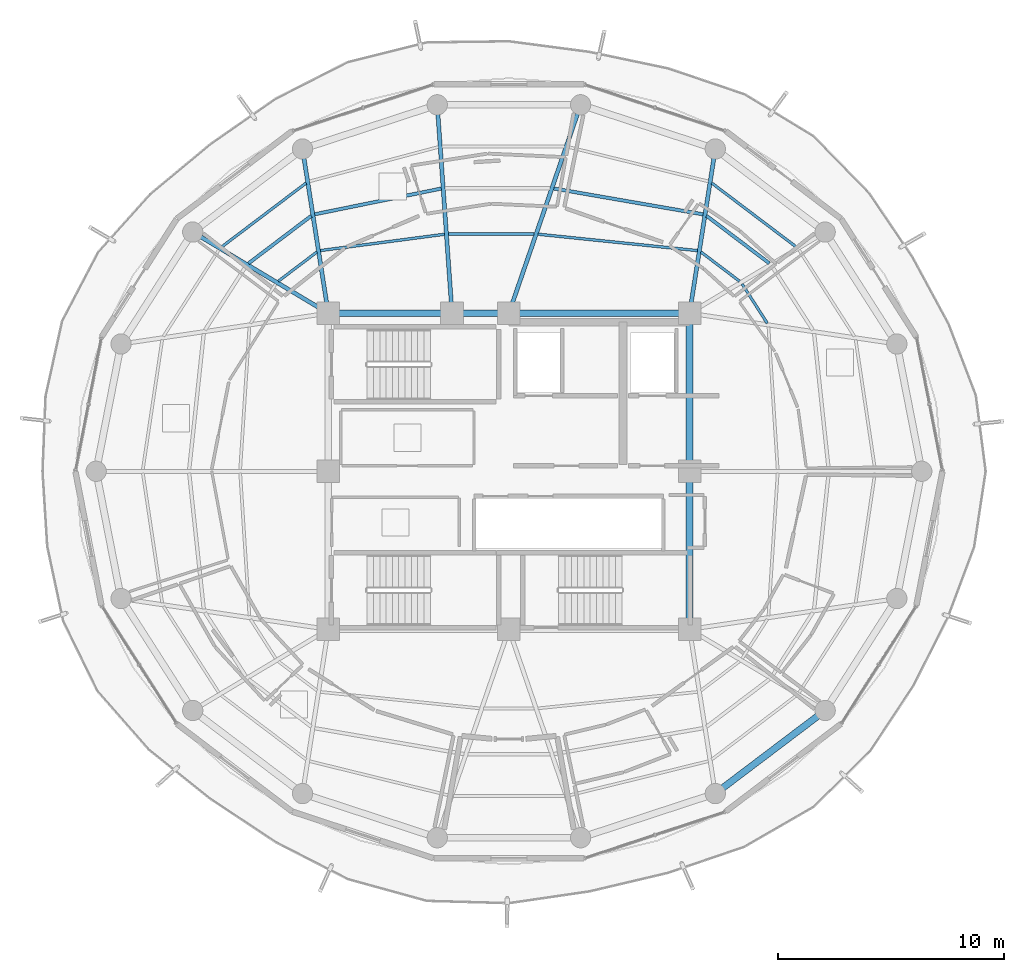
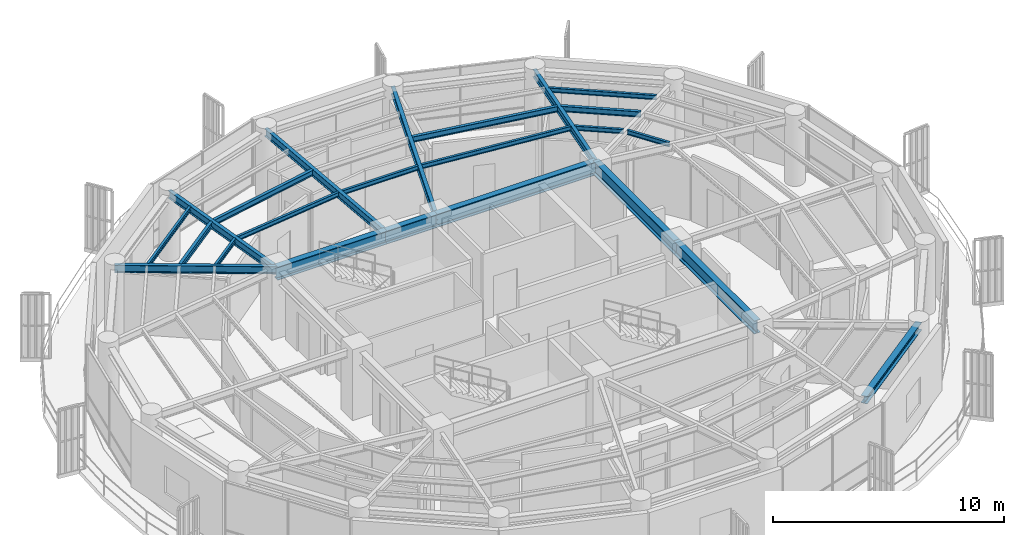
# One storey, part 8 of 22: 23 beams.
"""IFC4 building model written with IfcOpenShell, lengths in metres."""

import ifcopenshell
import ifcopenshell.guid

model = None  # the IFC model being written
_history = None  # IfcOwnerHistory: only IFC2X3 demands one
_inside = {}  # id of a spatial element -> (the spatial element, [elements in it])
_under = {}  # id of a project, library or spatial element -> (it, [spatial elements below it])
_declared = {}  # id of a project -> (the project, [libraries it declares])
_typed = {}  # id of a type object -> (the type object, [elements of that type])
_made_of = {}  # id of a material, layer set ... -> (it, [elements and type objects made of it])


def new_model(schema):
    """Start an empty IFC model of exactly this schema.

    Asked for "IFC4X3", IfcOpenShell would pick the latest addendum, in which some entities
    have other attributes; the version numbers below select the first issue.
    IFC2X3 requires an IfcOwnerHistory on every rooted entity: one is made here for all.
    """
    global model, _history
    if schema == "IFC4X3":
        model = ifcopenshell.file(schema_version=(4, 3, 0, 0))
    else:
        model = ifcopenshell.file(schema=schema)
    _inside.clear()
    _under.clear()
    _declared.clear()
    _typed.clear()
    _made_of.clear()
    _history = None
    if model.schema == "IFC2X3":
        org = make("IfcOrganization", Name="unknown")
        user = make(
            "IfcPersonAndOrganization",
            ThePerson=make("IfcPerson", FamilyName="unknown"),
            TheOrganization=org,
        )
        app = make(
            "IfcApplication",
            ApplicationDeveloper=org,
            Version="unknown",
            ApplicationFullName="unknown",
            ApplicationIdentifier="unknown",
        )
        _history = make(
            "IfcOwnerHistory",
            OwningUser=user,
            OwningApplication=app,
            ChangeAction="ADDED",
            CreationDate=0,
        )
    return model


def make(cls, **values):
    """One entity of the class cls with the attributes given. An attribute that is None is left unset."""
    return model.create_entity(
        cls, **{name: value for name, value in values.items() if value is not None}
    )


def rooted(cls, **values):
    """An entity with a GlobalId (a new one), such as an element, a storey or a relation."""
    return make(cls, GlobalId=ifcopenshell.guid.new(), OwnerHistory=_history, **values)


def si_unit(unit_type, name, prefix=None):
    """IfcSIUnit, for example si_unit("LENGTHUNIT", "METRE", prefix="MILLI")."""
    return make("IfcSIUnit", UnitType=unit_type, Prefix=prefix, Name=name)


def assignment(units):
    """IfcUnitAssignment: the units of a project."""
    return None if units is None else make("IfcUnitAssignment", Units=units)


def point(xyz):
    """IfcCartesianPoint."""
    return None if xyz is None else make("IfcCartesianPoint", Coordinates=xyz)


def direction(xyz):
    """IfcDirection."""
    return None if xyz is None else make("IfcDirection", DirectionRatios=xyz)


def frame(location, z_axis=None, x_axis=None):
    """IfcAxis2Placement3D, a coordinate frame: its origin and axes. An axis left out is left unset."""
    return make(
        "IfcAxis2Placement3D",
        Location=point(location),
        Axis=direction(z_axis),
        RefDirection=direction(x_axis),
    )


def frame_2d(location, x_axis=None):
    """IfcAxis2Placement2D, a coordinate frame in the plane: its origin and x axis."""
    return make(
        "IfcAxis2Placement2D", Location=point(location), RefDirection=direction(x_axis)
    )


def origin():
    """The frame at (0, 0, 0) with its axes left unset."""
    return frame((0.0, 0.0, 0.0))


def origin_2d():
    """The frame at (0, 0) in the plane with its x axis left unset."""
    return frame_2d((0.0, 0.0))


def place(relative_to, where):
    """IfcLocalPlacement: puts the frame where relative to a parent placement (None: the world)."""
    return make(
        "IfcLocalPlacement", PlacementRelTo=relative_to, RelativePlacement=where
    )


def context(
    kind, dimensions, precision=None, world=None, true_north=None, identifier=None
):
    """IfcGeometricRepresentationContext, for example the 3D "Model" context."""
    return make(
        "IfcGeometricRepresentationContext",
        ContextIdentifier=identifier,
        ContextType=kind,
        CoordinateSpaceDimension=dimensions,
        Precision=precision,
        WorldCoordinateSystem=world,
        TrueNorth=true_north,
    )


def subcontext(parent, identifier, kind, view, scale=None):
    """IfcGeometricRepresentationSubContext, for example "Body" below "Model"."""
    return make(
        "IfcGeometricRepresentationSubContext",
        ContextIdentifier=identifier,
        ContextType=kind,
        ParentContext=parent,
        TargetScale=scale,
        TargetView=view,
    )


def project(units=None, contexts=None):
    """IfcProject with its units and contexts."""
    return rooted(
        "IfcProject",
        Name="project",
        RepresentationContexts=contexts,
        UnitsInContext=assignment(units),
    )


def spatial(cls, under=None, at=None, **own):
    """A site, building, storey or space (cls), placed at a placement, below another one or the project."""
    s = rooted(cls, ObjectPlacement=at, **own)
    if under is not None:
        _under.setdefault(under.id(), (under, []))[1].append(s)
    return s


def profile(cls, at=None, kind="AREA", **sizes):
    """A parametric profile (cls). Its sizes go by their IFC names, for example OverallWidth=200.0."""
    return make(cls, ProfileType=kind, Position=at, **sizes)


def i_section(**sizes):
    """IfcIShapeProfileDef."""
    return profile("IfcIShapeProfileDef", **sizes)


def extrude(swept, where, along, depth):
    """IfcExtrudedAreaSolid: the profile swept, set in the frame where, extruded along a direction by depth."""
    return make(
        "IfcExtrudedAreaSolid",
        SweptArea=swept,
        Position=where,
        ExtrudedDirection=direction(along),
        Depth=depth,
    )


def shape(context_of_items, identifier, shape_type, items):
    """IfcShapeRepresentation: the items that make up one representation, for example the "Body"."""
    return make(
        "IfcShapeRepresentation",
        ContextOfItems=context_of_items,
        RepresentationIdentifier=identifier,
        RepresentationType=shape_type,
        Items=items,
    )


def material(Name=None, Category=None):
    """IfcMaterial."""
    return make("IfcMaterial", Name=Name, Category=Category)


def material_profile(
    of_material, cross_section, Name=None, Category=None, Priority=None
):
    """IfcMaterialProfile: a cross section and its material."""
    return make(
        "IfcMaterialProfile",
        Name=Name,
        Material=of_material,
        Profile=cross_section,
        Priority=Priority,
        Category=Category,
    )


def profile_set(profiles, Name=None, composite=None):
    """IfcMaterialProfileSet."""
    return make(
        "IfcMaterialProfileSet",
        Name=Name,
        MaterialProfiles=profiles,
        CompositeProfile=composite,
    )


def made_of(thing, what):
    """Note that an element or type object is made of a material, layer set ...; save() writes the relation."""
    if what is not None:
        _made_of.setdefault(what.id(), (what, []))[1].append(thing)
    return thing


def type_object(cls, material=None, **own):
    """A type object (cls), such as IfcWallType, which elements share."""
    return made_of(rooted(cls, **own), material)


def element(
    cls,
    number,
    at=None,
    inside=None,
    cuts=None,
    type_object=None,
    material=None,
    context=None,
    identifier="Body",
    shape_type=None,
    held_by="IfcProductDefinitionShape",
    body=None,
    shapes=None,
    **own,
):
    """One element of the class cls, such as IfcWall. Its Tag is "e" and its number.

    at: its placement. inside: the storey or other place that contains it. cuts: it is an
    opening in that element (IfcRelVoidsElement). A single representation is given by context,
    identifier, shape_type and body (its items); several are given by shapes. held_by: the class
    of the entity that holds the representations. save() writes the other relations.
    """
    e = rooted(cls, Tag="e%d" % number, ObjectPlacement=at, **own)
    if body is not None:
        shapes = [shape(context, identifier, shape_type, body)]
    if shapes is not None:
        e.Representation = make(held_by, Representations=shapes)
    if inside is not None:
        _inside.setdefault(inside.id(), (inside, []))[1].append(e)
    if cuts is not None:
        rooted(
            "IfcRelVoidsElement", RelatingBuildingElement=cuts, RelatedOpeningElement=e
        )
    if type_object is not None:
        _typed.setdefault(type_object.id(), (type_object, []))[1].append(e)
    return made_of(e, material)


def aggregate(whole, parts):
    """IfcRelAggregates: a whole, such as a stair, and the parts it consists of."""
    return rooted("IfcRelAggregates", RelatingObject=whole, RelatedObjects=parts)


def save(model, path):
    """Write the relations noted so far, then the file.

    IfcRelAggregates (storeys below a building ...), IfcRelContainedInSpatialStructure (elements
    in a storey), IfcRelDefinesByType, IfcRelAssociatesMaterial and IfcRelDeclares: one each for
    every whole, place, type object, material and project.
    """
    for whole, parts in _under.values():
        aggregate(whole, parts)
    for where, things in _inside.values():
        rooted(
            "IfcRelContainedInSpatialStructure",
            RelatedElements=things,
            RelatingStructure=where,
        )
    for kind, things in _typed.values():
        rooted("IfcRelDefinesByType", RelatedObjects=things, RelatingType=kind)
    for what, things in _made_of.values():
        rooted("IfcRelAssociatesMaterial", RelatedObjects=things, RelatingMaterial=what)
    for by, libraries in _declared.values():
        rooted("IfcRelDeclares", RelatingContext=by, RelatedDefinitions=libraries)
    model.write(path)


model = new_model("IFC4")

# Units and contexts
model_context = context("Model", 3, precision=1e-05, world=origin(), true_north=direction((0.0, 1.0)))
body_context = subcontext(model_context, "Body", "Model", "MODEL_VIEW")
ifc_project = project(units=[si_unit("LENGTHUNIT", "METRE"), si_unit("AREAUNIT", "SQUARE_METRE"), si_unit("VOLUMEUNIT", "CUBIC_METRE"), si_unit("PLANEANGLEUNIT", "RADIAN"), si_unit("MASSUNIT", "GRAM", prefix="KILO")], contexts=[model_context])

# Site, building, storey
site_placement = place(None, origin())
site = spatial("IfcSite", under=ifc_project, at=site_placement, CompositionType="ELEMENT")
building_placement = place(site_placement, origin())
building = spatial("IfcBuilding", under=site, at=building_placement, Name="Kelanora Arch Commons", CompositionType="ELEMENT")
storey_placement = place(building_placement, frame((0.0, 0.0, 274.949951171875)))
storey = spatial("IfcBuildingStorey", under=building, at=storey_placement, Name="L70", CompositionType="ELEMENT", Elevation=274.949951171875)

# Beams
ifc_material = material(Name="Steel S355", Category="steel")
ifc_material_profile_1 = material_profile(ifc_material, i_section(OverallWidth=0.300048828125, OverallDepth=0.699951171875, WebThickness=0.01708984375, FlangeThickness=0.031982421875, FilletRadius=0.027099609375, at=origin_2d()), Name="HEB700")
ifc_profile_set_1 = profile_set([ifc_material_profile_1], Name="Steel S355")
beam_type_1 = type_object("IfcBeamType", Name="BM-CORE-HDR", PredefinedType="BEAM", material=ifc_profile_set_1)
for number, where, z_axis, x_axis, name in (
    (1, (82.0, 51.0, 3.14013671875), (0.0, 1.0, 0.0), (-1.0, 0.0, 0.0), "Core Header Beam 03 L70"),
    (2, (82.0, 58.0, 3.14013671875), (0.0, 1.0, 0.0), (-1.0, 0.0, 0.0), "Core Header Beam 04 L70"),
):
    element("IfcBeam", number, at=place(storey_placement, frame(where, z_axis=z_axis, x_axis=x_axis)), inside=storey, type_object=beam_type_1, Name=name, PredefinedType="BEAM", context=body_context, shape_type="SweptSolid", body=[
        extrude(i_section(OverallWidth=0.300048828125, OverallDepth=0.699951171875, WebThickness=0.01708984375, FlangeThickness=0.031982421875, FilletRadius=0.027099609375, at=origin_2d()), origin(), (0.0, 0.0, 1.0), 7.0),
    ])
beam_1_placement = place(storey_placement, frame((82.0, 65.0, 3.14013671875), z_axis=(-1.0, 0.0, 0.0), x_axis=(0.0, -1.0, 0.0)))
element("IfcBeam", 3, at=beam_1_placement, inside=storey, type_object=beam_type_1, Name="Core Header Beam 05 L70", PredefinedType="BEAM", context=body_context, shape_type="SweptSolid", body=[
    extrude(i_section(OverallWidth=0.300048828125, OverallDepth=0.699951171875, WebThickness=0.01708984375, FlangeThickness=0.031982421875, FilletRadius=0.027099609375, at=origin_2d()), origin(), (0.0, 0.0, 1.0), 8.0),
])
beam_2_placement = place(storey_placement, frame((74.0, 65.0, 3.14013671875), z_axis=(-1.0, 0.0, 0.0), x_axis=(0.0, -1.0, 0.0)))
element("IfcBeam", 4, at=beam_2_placement, inside=storey, type_object=beam_type_1, Name="Core Header Beam 06 L70", PredefinedType="BEAM", context=body_context, shape_type="SweptSolid", body=[
    extrude(i_section(OverallWidth=0.300048828125, OverallDepth=0.699951171875, WebThickness=0.01708984375, FlangeThickness=0.031982421875, FilletRadius=0.027099609375, at=origin_2d()), origin(), (0.0, 0.0, 1.0), 2.52001953125),
])
beam_3_placement = place(storey_placement, frame((71.47998046875, 65.0, 3.14013671875), z_axis=(-1.0, 0.0, 0.0), x_axis=(0.0, -1.0, 0.0)))
element("IfcBeam", 5, at=beam_3_placement, inside=storey, type_object=beam_type_1, Name="Core Header Beam 07 L70", PredefinedType="BEAM", context=body_context, shape_type="SweptSolid", body=[
    extrude(i_section(OverallWidth=0.300048828125, OverallDepth=0.699951171875, WebThickness=0.01708984375, FlangeThickness=0.031982421875, FilletRadius=0.027099609375, at=origin_2d()), origin(), (0.0, 0.0, 1.0), 5.47998046875),
])
ifc_material_profile_2 = material_profile(ifc_material, i_section(OverallWidth=0.14990234375, OverallDepth=0.300048828125, WebThickness=0.007080078125, FlangeThickness=0.0107421875, FilletRadius=0.014892578125, at=origin_2d()), Name="IPE300")
ifc_profile_set_2 = profile_set([ifc_material_profile_2], Name="Steel S355")
beam_type_2 = type_object("IfcBeamType", Name="BM-JST-01", PredefinedType="JOIST", material=ifc_profile_set_2)
beam_4_placement = place(storey_placement, frame((85.5341796875, 67.20703125, 3.340087890625), z_axis=(-0.797499198801, 0.603320004568, 0.0), x_axis=(-0.603320004568, -0.797499198801, 0.0)))
element("IfcBeam", 6, at=beam_4_placement, inside=storey, type_object=beam_type_2, Name="Secondary Chord Joist BJB-04 L70", PredefinedType="JOIST", context=body_context, shape_type="SweptSolid", body=[
    extrude(i_section(OverallWidth=0.14990234375, OverallDepth=0.300048828125, WebThickness=0.007080078125, FlangeThickness=0.0107421875, FilletRadius=0.014892578125, at=origin_2d()), origin(), (0.0, 0.0, 1.0), 3.489013671875),
])
beam_5_placement = place(storey_placement, frame((82.60009765625, 69.377685546875, 3.340087890625), z_axis=(-0.985321568263, 0.170708544357, 0.0), x_axis=(-0.170708544357, -0.985321568263, 0.0)))
element("IfcBeam", 7, at=beam_5_placement, inside=storey, type_object=beam_type_2, Name="Secondary Chord Joist BJB-06 L70", PredefinedType="JOIST", context=body_context, shape_type="SweptSolid", body=[
    extrude(i_section(OverallWidth=0.14990234375, OverallDepth=0.300048828125, WebThickness=0.007080078125, FlangeThickness=0.0107421875, FilletRadius=0.014892578125, at=origin_2d()), origin(), (0.0, 0.0, 1.0), 6.710205078125),
])
beam_6_placement = place(storey_placement, frame((71.004150390625, 70.520751953125, 3.340087890625), z_axis=(-0.979913482255, -0.199423086165, 0.0), x_axis=(0.199423086165, -0.979913482255, 0.0)))
element("IfcBeam", 8, at=beam_6_placement, inside=storey, type_object=beam_type_2, Name="Secondary Chord Joist BJB-10 L70", PredefinedType="JOIST", context=body_context, shape_type="SweptSolid", body=[
    extrude(i_section(OverallWidth=0.14990234375, OverallDepth=0.300048828125, WebThickness=0.007080078125, FlangeThickness=0.0107421875, FilletRadius=0.014892578125, at=origin_2d()), origin(), (0.0, 0.0, 1.0), 5.7197265625),
])
beam_7_placement = place(storey_placement, frame((65.248291015625, 69.31201171875, 3.340087890625), z_axis=(-0.797499198801, -0.603320004568, 0.0), x_axis=(0.603320004568, -0.797499198801, 0.0)))
element("IfcBeam", 9, at=beam_7_placement, inside=storey, type_object=beam_type_2, Name="Secondary Chord Joist BJB-12 L70", PredefinedType="JOIST", context=body_context, shape_type="SweptSolid", body=[
    extrude(i_section(OverallWidth=0.14990234375, OverallDepth=0.300048828125, WebThickness=0.007080078125, FlangeThickness=0.0107421875, FilletRadius=0.014892578125, at=origin_2d()), origin(), (0.0, 0.0, 1.0), 3.489013671875),
])
ifc_material_profile_3 = material_profile(ifc_material, i_section(OverallWidth=0.1201171875, OverallDepth=0.239990234375, WebThickness=0.006103515625, FlangeThickness=0.009765625, FilletRadius=0.014892578125, at=origin_2d()), Name="IPE240")
ifc_profile_set_3 = profile_set([ifc_material_profile_3], Name="Steel S355")
beam_type_3 = type_object("IfcBeamType", Name="BM-JST-02", PredefinedType="JOIST", material=ifc_profile_set_3)
beam_8_placement = place(storey_placement, frame((85.441650390625, 64.553466796875, 3.3701171875), z_axis=(-0.539311810315, 0.842106152011, 0.0), x_axis=(-0.842106152011, -0.539311810315, 0.0)))
element("IfcBeam", 10, at=beam_8_placement, inside=storey, type_object=beam_type_3, Name="Secondary Chord Joist BJA-02 L70", PredefinedType="JOIST", context=body_context, shape_type="SweptSolid", body=[
    extrude(i_section(OverallWidth=0.1201171875, OverallDepth=0.239990234375, WebThickness=0.006103515625, FlangeThickness=0.009765625, FilletRadius=0.014892578125, at=origin_2d()), origin(), (0.0, 0.0, 1.0), 2.06640625),
])
beam_9_placement = place(storey_placement, frame((84.21337890625, 66.416748046875, 3.3701171875), z_axis=(-0.797509883882, 0.603305880222, 0.0), x_axis=(-0.603305880222, -0.797509883882, 0.0)))
element("IfcBeam", 11, at=beam_9_placement, inside=storey, type_object=beam_type_3, Name="Secondary Chord Joist BJA-04 L70", PredefinedType="JOIST", context=body_context, shape_type="SweptSolid", body=[
    extrude(i_section(OverallWidth=0.1201171875, OverallDepth=0.239990234375, WebThickness=0.006103515625, FlangeThickness=0.009765625, FilletRadius=0.014892578125, at=origin_2d()), origin(), (0.0, 0.0, 1.0), 2.147216796875),
])
beam_10_placement = place(storey_placement, frame((86.73486328125, 67.92578125, 3.3701171875), z_axis=(-0.79752302984, 0.60328850219, 0.0), x_axis=(-0.60328850219, -0.79752302984, 0.0)))
element("IfcBeam", 12, at=beam_10_placement, inside=storey, type_object=beam_type_3, Name="Secondary Chord Joist BJC-04 L70", PredefinedType="JOIST", context=body_context, shape_type="SweptSolid", body=[
    extrude(i_section(OverallWidth=0.1201171875, OverallDepth=0.239990234375, WebThickness=0.006103515625, FlangeThickness=0.009765625, FilletRadius=0.014892578125, at=origin_2d()), origin(), (0.0, 0.0, 1.0), 4.70849609375),
])
beam_11_placement = place(storey_placement, frame((82.3486328125, 67.772216796875, 3.3701171875), z_axis=(-0.994746545688, 0.102368500239, 0.0), x_axis=(-0.102368500239, -0.994746545688, 0.0)))
element("IfcBeam", 13, at=beam_11_placement, inside=storey, type_object=beam_type_3, Name="Secondary Chord Joist BJA-06 L70", PredefinedType="JOIST", context=body_context, shape_type="SweptSolid", body=[
    extrude(i_section(OverallWidth=0.1201171875, OverallDepth=0.239990234375, WebThickness=0.006103515625, FlangeThickness=0.009765625, FilletRadius=0.014892578125, at=origin_2d()), origin(), (0.0, 0.0, 1.0), 7.09521484375),
])
beam_12_placement = place(storey_placement, frame((75.12109375, 68.507080078125, 3.3701171875), z_axis=(-1.0, 0.0, 0.0), x_axis=(0.0, -1.0, 0.0)))
element("IfcBeam", 14, at=beam_12_placement, inside=storey, type_object=beam_type_3, Name="Secondary Chord Joist BJA-08 L70", PredefinedType="JOIST", context=body_context, shape_type="SweptSolid", body=[
    extrude(i_section(OverallWidth=0.1201171875, OverallDepth=0.239990234375, WebThickness=0.006103515625, FlangeThickness=0.009765625, FilletRadius=0.014892578125, at=origin_2d()), origin(), (0.0, 0.0, 1.0), 3.8046875),
])
beam_13_placement = place(storey_placement, frame((71.147216796875, 68.49609375, 3.3701171875), z_axis=(-0.991489038745, -0.130190191832, 0.0), x_axis=(0.130190191832, -0.991489038745, 0.0)))
element("IfcBeam", 15, at=beam_13_placement, inside=storey, type_object=beam_type_3, Name="Secondary Chord Joist BJA-10 L70", PredefinedType="JOIST", context=body_context, shape_type="SweptSolid", body=[
    extrude(i_section(OverallWidth=0.1201171875, OverallDepth=0.239990234375, WebThickness=0.006103515625, FlangeThickness=0.009765625, FilletRadius=0.014892578125, at=origin_2d()), origin(), (0.0, 0.0, 1.0), 5.543212890625),
])
beam_14_placement = place(storey_placement, frame((65.4990234375, 67.712158203125, 3.3701171875), z_axis=(-0.797509883882, -0.603305880222, 0.0), x_axis=(0.603305880222, -0.797509883882, 0.0)))
element("IfcBeam", 16, at=beam_14_placement, inside=storey, type_object=beam_type_3, Name="Secondary Chord Joist BJA-12 L70", PredefinedType="JOIST", context=body_context, shape_type="SweptSolid", body=[
    extrude(i_section(OverallWidth=0.1201171875, OverallDepth=0.239990234375, WebThickness=0.006103515625, FlangeThickness=0.009765625, FilletRadius=0.014892578125, at=origin_2d()), origin(), (0.0, 0.0, 1.0), 2.147216796875),
])
beam_15_placement = place(storey_placement, frame((65.020263671875, 70.766357421875, 3.3701171875), z_axis=(-0.79752302984, -0.60328850219, 0.0), x_axis=(0.60328850219, -0.79752302984, 0.0)))
element("IfcBeam", 17, at=beam_15_placement, inside=storey, type_object=beam_type_3, Name="Secondary Chord Joist BJC-12 L70", PredefinedType="JOIST", context=body_context, shape_type="SweptSolid", body=[
    extrude(i_section(OverallWidth=0.1201171875, OverallDepth=0.239990234375, WebThickness=0.006103515625, FlangeThickness=0.009765625, FilletRadius=0.014892578125, at=origin_2d()), origin(), (0.0, 0.0, 1.0), 4.70849609375),
])
ifc_material_profile_4 = material_profile(ifc_material, i_section(OverallWidth=0.179931640625, OverallDepth=0.39990234375, WebThickness=0.008544921875, FlangeThickness=0.013427734375, FilletRadius=0.02099609375, at=origin_2d()), Name="IPE400")
ifc_profile_set_4 = profile_set([ifc_material_profile_4], Name="Steel S355")
beam_type_4 = type_object("IfcBeamType", Name="BM-RAD-Z5", PredefinedType="BEAM", material=ifc_profile_set_4)
beam_16_placement = place(storey_placement, frame((82.0, 65.0, 3.2900390625), z_axis=(0.154855424129, 0.987937142544, 0.0), x_axis=(-0.987937142544, 0.154855424129, 0.0)))
element("IfcBeam", 18, at=beam_16_placement, inside=storey, type_object=beam_type_4, Name="Radial Floor Girder BR-06 L70", PredefinedType="BEAM", context=body_context, shape_type="SweptSolid", body=[
    extrude(i_section(OverallWidth=0.179931640625, OverallDepth=0.39990234375, WebThickness=0.008544921875, FlangeThickness=0.013427734375, FilletRadius=0.02099609375, at=origin_2d()), origin(), (0.0, 0.0, 1.0), 7.361083984375),
])
beam_17_placement = place(storey_placement, frame((74.0, 65.0, 3.2900390625), z_axis=(0.325233562807, 0.945633718532, 0.0), x_axis=(-0.945633718532, 0.325233562807, 0.0)))
element("IfcBeam", 19, at=beam_17_placement, inside=storey, type_object=beam_type_4, Name="Radial Floor Girder BR-08 L70", PredefinedType="BEAM", context=body_context, shape_type="SweptSolid", body=[
    extrude(i_section(OverallWidth=0.179931640625, OverallDepth=0.39990234375, WebThickness=0.008544921875, FlangeThickness=0.013427734375, FilletRadius=0.02099609375, at=origin_2d()), origin(), (0.0, 0.0, 1.0), 9.760009765625),
])
beam_18_placement = place(storey_placement, frame((71.47998046875, 65.0, 3.2900390625), z_axis=(-0.070714497892, 0.997496596379, 0.0), x_axis=(-0.997496596379, -0.070714497892, 0.0)))
element("IfcBeam", 20, at=beam_18_placement, inside=storey, type_object=beam_type_4, Name="Radial Floor Girder BR-10 L70", PredefinedType="BEAM", context=body_context, shape_type="SweptSolid", body=[
    extrude(i_section(OverallWidth=0.179931640625, OverallDepth=0.39990234375, WebThickness=0.008544921875, FlangeThickness=0.013427734375, FilletRadius=0.02099609375, at=origin_2d()), origin(), (0.0, 0.0, 1.0), 9.252685546875),
])
beam_19_placement = place(storey_placement, frame((66.0, 65.0, 3.2900390625), z_axis=(-0.154855424129, 0.987937142544, 0.0), x_axis=(-0.987937142544, -0.154855424129, 0.0)))
element("IfcBeam", 21, at=beam_19_placement, inside=storey, type_object=beam_type_4, Name="Radial Floor Girder BR-12 L70", PredefinedType="BEAM", context=body_context, shape_type="SweptSolid", body=[
    extrude(i_section(OverallWidth=0.179931640625, OverallDepth=0.39990234375, WebThickness=0.008544921875, FlangeThickness=0.013427734375, FilletRadius=0.02099609375, at=origin_2d()), origin(), (0.0, 0.0, 1.0), 7.361083984375),
])
beam_20_placement = place(storey_placement, frame((66.0, 65.0, 3.2900390625), z_axis=(-0.858062005744, 0.513546097541, 0.0), x_axis=(-0.513546097541, -0.858062005744, 0.0)))
element("IfcBeam", 22, at=beam_20_placement, inside=storey, type_object=beam_type_4, Name="Radial Floor Girder BR-14 L70", PredefinedType="BEAM", context=body_context, shape_type="SweptSolid", body=[
    extrude(i_section(OverallWidth=0.179931640625, OverallDepth=0.39990234375, WebThickness=0.008544921875, FlangeThickness=0.013427734375, FilletRadius=0.02099609375, at=origin_2d()), origin(), (0.0, 0.0, 1.0), 6.99658203125),
])
ifc_material_profile_5 = material_profile(ifc_material, i_section(OverallWidth=0.300048828125, OverallDepth=0.39990234375, WebThickness=0.013427734375, FlangeThickness=0.02392578125, FilletRadius=0.027099609375, at=origin_2d()), Name="HEB400")
ifc_profile_set_5 = profile_set([ifc_material_profile_5], Name="Steel S355")
beam_type_5 = type_object("IfcBeamType", Name="BM-SPN-Z4", PredefinedType="SPANDREL", material=ifc_profile_set_5)
beam_21_placement = place(storey_placement, frame((83.139892578125, 43.727783203125, 3.2900390625), z_axis=(0.797509460967, 0.603306439273, 0.0), x_axis=(-0.603306439273, 0.797509460967, 0.0)))
element("IfcBeam", 23, at=beam_21_placement, inside=storey, type_object=beam_type_5, Name="Perimeter Spandrel Beam BS-30 L70", PredefinedType="SPANDREL", context=body_context, shape_type="SweptSolid", body=[
    extrude(i_section(OverallWidth=0.300048828125, OverallDepth=0.39990234375, WebThickness=0.013427734375, FlangeThickness=0.02392578125, FilletRadius=0.027099609375, at=origin_2d()), origin(), (0.0, 0.0, 1.0), 6.098388671875),
])

save(model, "model.ifc")
